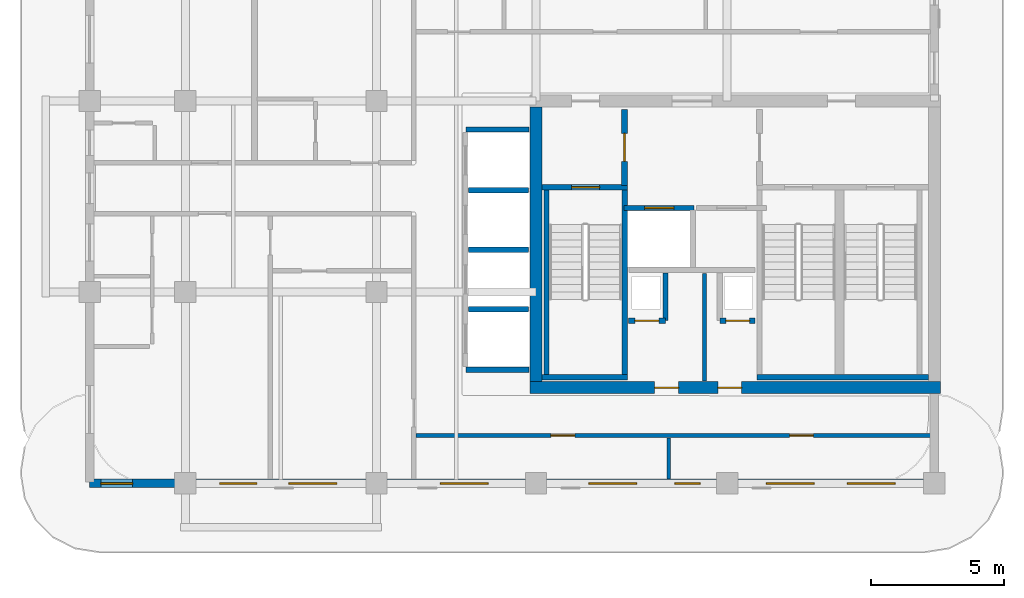
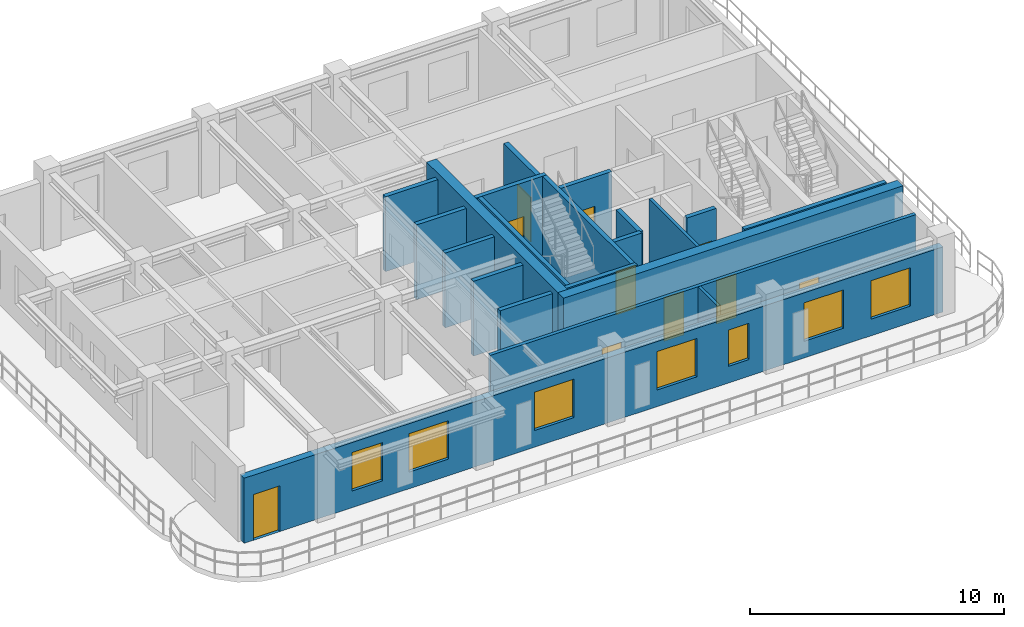
# One storey, part 3 of 7: 21 walls, 10 doors, 7 windows, 17 openings.
"""IFC4 building model written with IfcOpenShell, lengths in metres."""

from ifc_helpers import new_model, si_unit, derived_unit, direction, frame, frame_2d, origin, place, context, subcontext, project, spatial, rectangle, extrude, source, transform, mapped, material, layer, layer_set, type_object, type_shapes, element, fill, save


model = new_model("IFC4")

# Units and contexts
model_context = context("Model", 3, precision=1e-05, world=origin(), true_north=direction((0.0, 1.0)))
body_context = subcontext(model_context, "Body", "Model", "MODEL_VIEW")
ifc_project = project(units=[si_unit("LENGTHUNIT", "METRE"), si_unit("AREAUNIT", "SQUARE_METRE"), si_unit("VOLUMEUNIT", "CUBIC_METRE"), si_unit("PLANEANGLEUNIT", "RADIAN"), si_unit("MASSUNIT", "GRAM", prefix="KILO"), si_unit("THERMODYNAMICTEMPERATUREUNIT", "KELVIN"), si_unit("POWERUNIT", "WATT"), derived_unit("THERMALTRANSMITTANCEUNIT", [(si_unit("POWERUNIT", "WATT"), 1), (si_unit("AREAUNIT", "SQUARE_METRE"), -1), (si_unit("THERMODYNAMICTEMPERATUREUNIT", "KELVIN"), -1)])], contexts=[model_context])

# Site, building, storey
site_placement = place(None, origin())
site = spatial("IfcSite", under=ifc_project, at=site_placement, CompositionType="ELEMENT")
building_placement = place(site_placement, origin())
building = spatial("IfcBuilding", under=site, at=building_placement, Name="Zahravan Archway Hotel and Residences", CompositionType="ELEMENT")
storey_placement = place(building_placement, frame((0.0, 0.0, 255.800048828125)))
storey = spatial("IfcBuildingStorey", under=building, at=storey_placement, Name="L64", CompositionType="ELEMENT", Elevation=255.800048828125)

# Wall, openings, doors
ifc_material_1 = material(Name="Concrete C50/60", Category="concrete")
ifc_layer_1 = layer(ifc_material_1, 0.449951171875, Name="Concrete C50/60", Category="concrete")
ifc_layer_set_1 = layer_set([ifc_layer_1], Name="Concrete C50/60")
wall_type_1 = type_object("IfcWallType", Name="CW-CORE-450", PredefinedType="SHEAR", material=ifc_layer_set_1)
wall_1_placement = place(storey_placement, frame((34.574951171875, 3.60009765625, 0.0), z_axis=(0.0, 0.0, 1.0), x_axis=(1.0, 0.0, 0.0)))
wall_1 = element("IfcWall", 1, at=wall_1_placement, inside=storey, type_object=wall_type_1, Name="L64 Core A Shear S Wall 450 mm", PredefinedType="SHEAR", context=body_context, shape_type="SweptSolid", body=[
    extrude(rectangle(XDim=15.449951171875, YDim=0.449951171875, at=frame_2d((7.72509765625, 0.0))), origin(), (0.0, 0.0, 1.0), 3.849853515625),
])
opening_1_placement = place(wall_1_placement, frame((4.695068359375, 0.0, 0.0)))
opening_1 = element("IfcOpeningElement", 2, at=opening_1_placement, cuts=wall_1, Name="Opening FD-R1", PredefinedType="OPENING", context=body_context, shape_type="SweptSolid", body=[
    extrude(rectangle(XDim=0.89990234375, YDim=2.10009765625, at=frame_2d((0.449951171875, 1.050048828125))), frame((0.0, 0.23486328125, 0.0), z_axis=(0.0, -1.0, 0.0), x_axis=(1.0, 0.0, 0.0)), (0.0, 0.0, 1.0), 0.469970703125),
])
opening_2_placement = place(wall_1_placement, frame((7.074951171875, 0.0, 0.0)))
opening_2 = element("IfcOpeningElement", 3, at=opening_2_placement, cuts=wall_1, Name="Opening FD-R1", PredefinedType="OPENING", context=body_context, shape_type="SweptSolid", body=[
    extrude(rectangle(XDim=0.89990234375, YDim=2.10009765625, at=frame_2d((0.449951171875, 1.050048828125))), frame((0.0, 0.23486328125, 0.0), z_axis=(0.0, -1.0, 0.0), x_axis=(1.0, 0.0, 0.0)), (0.0, 0.0, 1.0), 0.469970703125),
])
ifc_material_2 = material(Name="Fire-Rated Painted Steel", Category="steel")
door_type_1 = type_object("IfcDoorType", Name="FD-RISER-900", OperationType="NOTDEFINED", PredefinedType="DOOR", material=ifc_material_2)
shared_shape_1 = source(origin(), body_context, "Body", "SweptSolid", [
    extrude(rectangle(XDim=0.89990234375, YDim=2.10009765625, at=frame_2d((0.449951171875, 1.050048828125))), frame((0.0, 0.02490234375, 0.0), z_axis=(0.0, -1.0, 0.0), x_axis=(1.0, 0.0, 0.0)), (0.0, 0.0, 1.0), 0.050048828125),
])
type_shapes(door_type_1, [shared_shape_1])
door_1_placement = place(opening_1_placement, origin())
door_1 = element("IfcDoor", 4, at=door_1_placement, inside=storey, type_object=door_type_1, Name="L64 Fan Room Door", OperationType="SINGLE_SWING_RIGHT", OverallHeight=2.10009765625, OverallWidth=0.89990234375, PredefinedType="DOOR", context=body_context, shape_type="MappedRepresentation", body=[
    mapped(shared_shape_1, transform((0.0, 0.0, 0.0), scale=1.0)),
])
fill(opening_1, door_1)
door_2_placement = place(opening_2_placement, origin())
door_2 = element("IfcDoor", 5, at=door_2_placement, inside=storey, type_object=door_type_1, Name="L64 Sub-Meter Cupboard Door", OperationType="SINGLE_SWING_LEFT", OverallHeight=2.10009765625, OverallWidth=0.89990234375, PredefinedType="DOOR", context=body_context, shape_type="MappedRepresentation", body=[
    mapped(shared_shape_1, transform((0.0, 0.0, 0.0), scale=1.0)),
])
fill(opening_2, door_2)

# Wall
wall_2_placement = place(storey_placement, frame((34.800048828125, 3.824951171875, 0.0), z_axis=(0.0, 0.0, 1.0), x_axis=(0.0, 1.0, 0.0)))
element("IfcWall", 6, at=wall_2_placement, inside=storey, type_object=wall_type_1, Name="L64 Core A Shear W Wall 450 mm", PredefinedType="SHEAR", context=body_context, shape_type="SweptSolid", body=[
    extrude(rectangle(XDim=10.35009765625, YDim=0.449951171875, at=frame_2d((5.175048828125, 0.0))), origin(), (0.0, 0.0, 1.0), 3.849853515625),
])

# Wall, openings, door, windows
ifc_material_3 = material(Name="Agra Buff Sandstone & Insulated Backup", Category="masonry")
ifc_layer_2 = layer(ifc_material_3, 0.320068359375, Name="Agra Buff Sandstone & Insulated Backup", Category="masonry")
ifc_layer_set_2 = layer_set([ifc_layer_2], Name="Agra Buff Sandstone & Insulated Backup")
wall_type_2 = type_object("IfcWallType", Name="EW-SAND-320", PredefinedType="SOLIDWALL", material=ifc_layer_set_2)
wall_3_placement = place(storey_placement, frame((18.0, 0.0, 0.0), z_axis=(0.0, 0.0, 1.0), x_axis=(1.0, 0.0, 0.0)))
wall_3 = element("IfcWall", 7, at=wall_3_placement, inside=storey, type_object=wall_type_2, Name="L64 Exterior Sandstone Wall WA-S", PredefinedType="SOLIDWALL", context=body_context, shape_type="SweptSolid", body=[
    extrude(rectangle(XDim=31.800048828125, YDim=0.320068359375, at=frame_2d((15.89990234375, 0.0))), origin(), (0.0, 0.0, 1.0), 3.135009765625),
])
opening_3_placement = place(wall_3_placement, frame((0.419921875, 0.0, 0.0)))
opening_3 = element("IfcOpeningElement", 8, at=opening_3_placement, cuts=wall_3, Name="Opening ED-BL1", PredefinedType="OPENING", context=body_context, shape_type="SweptSolid", body=[
    extrude(rectangle(XDim=1.199951171875, YDim=2.199951171875, at=frame_2d((0.60009765625, 1.10009765625))), frame((0.0, 0.169921875, 0.0), z_axis=(0.0, -1.0, 0.0), x_axis=(1.0, 0.0, 0.0)), (0.0, 0.0, 1.0), 0.340087890625),
])
opening_4_placement = place(wall_3_placement, frame((4.89599609375, 0.0, 0.800048828125)))
opening_4 = element("IfcOpeningElement", 9, at=opening_4_placement, cuts=wall_3, Name="Opening W-03", PredefinedType="OPENING", context=body_context, shape_type="SweptSolid", body=[
    extrude(rectangle(XDim=1.39990234375, YDim=1.85009765625, at=frame_2d((0.699951171875, 0.925048828125))), frame((0.0, 0.169921875, 0.0), z_axis=(0.0, -1.0, 0.0), x_axis=(1.0, 0.0, 0.0)), (0.0, 0.0, 1.0), 0.340087890625),
])
opening_5_placement = place(wall_3_placement, frame((7.50390625, 0.0, 0.800048828125)))
opening_5 = element("IfcOpeningElement", 10, at=opening_5_placement, cuts=wall_3, Name="Opening W-02", PredefinedType="OPENING", context=body_context, shape_type="SweptSolid", body=[
    extrude(rectangle(XDim=1.800048828125, YDim=1.85009765625, at=frame_2d((0.89990234375, 0.925048828125))), frame((0.0, 0.169921875, 0.0), z_axis=(0.0, -1.0, 0.0), x_axis=(1.0, 0.0, 0.0)), (0.0, 0.0, 1.0), 0.340087890625),
])
opening_6_placement = place(wall_3_placement, frame((13.2041015625, 0.0, 0.800048828125)))
opening_6 = element("IfcOpeningElement", 11, at=opening_6_placement, cuts=wall_3, Name="Opening W-02", PredefinedType="OPENING", context=body_context, shape_type="SweptSolid", body=[
    extrude(rectangle(XDim=1.800048828125, YDim=1.85009765625, at=frame_2d((0.89990234375, 0.925048828125))), frame((0.0, 0.169921875, 0.0), z_axis=(0.0, -1.0, 0.0), x_axis=(1.0, 0.0, 0.0)), (0.0, 0.0, 1.0), 0.340087890625),
])
opening_7_placement = place(wall_3_placement, frame((18.7958984375, 0.0, 0.800048828125)))
opening_7 = element("IfcOpeningElement", 12, at=opening_7_placement, cuts=wall_3, Name="Opening W-02", PredefinedType="OPENING", context=body_context, shape_type="SweptSolid", body=[
    extrude(rectangle(XDim=1.800048828125, YDim=1.85009765625, at=frame_2d((0.89990234375, 0.925048828125))), frame((0.0, 0.169921875, 0.0), z_axis=(0.0, -1.0, 0.0), x_axis=(1.0, 0.0, 0.0)), (0.0, 0.0, 1.0), 0.340087890625),
])
opening_8_placement = place(wall_3_placement, frame((22.029052734375, 0.0, 0.800048828125)))
opening_8 = element("IfcOpeningElement", 13, at=opening_8_placement, cuts=wall_3, Name="Opening W-04", PredefinedType="OPENING", context=body_context, shape_type="SweptSolid", body=[
    extrude(rectangle(XDim=0.949951171875, YDim=1.75, at=frame_2d((0.47509765625, 0.875))), frame((0.0, 0.169921875, 0.0), z_axis=(0.0, -1.0, 0.0), x_axis=(1.0, 0.0, 0.0)), (0.0, 0.0, 1.0), 0.340087890625),
])
opening_9_placement = place(wall_3_placement, frame((25.47509765625, 0.0, 0.800048828125)))
opening_9 = element("IfcOpeningElement", 14, at=opening_9_placement, cuts=wall_3, Name="Opening W-02", PredefinedType="OPENING", context=body_context, shape_type="SweptSolid", body=[
    extrude(rectangle(XDim=1.800048828125, YDim=1.85009765625, at=frame_2d((0.89990234375, 0.925048828125))), frame((0.0, 0.169921875, 0.0), z_axis=(0.0, -1.0, 0.0), x_axis=(1.0, 0.0, 0.0)), (0.0, 0.0, 1.0), 0.340087890625),
])
opening_10_placement = place(wall_3_placement, frame((28.52490234375, 0.0, 0.800048828125)))
opening_10 = element("IfcOpeningElement", 15, at=opening_10_placement, cuts=wall_3, Name="Opening W-02", PredefinedType="OPENING", context=body_context, shape_type="SweptSolid", body=[
    extrude(rectangle(XDim=1.800048828125, YDim=1.85009765625, at=frame_2d((0.89990234375, 0.925048828125))), frame((0.0, 0.169921875, 0.0), z_axis=(0.0, -1.0, 0.0), x_axis=(1.0, 0.0, 0.0)), (0.0, 0.0, 1.0), 0.340087890625),
])
ifc_material_4 = material(Name="Bronze-Anodized Glazed Aluminium", Category="aluminium")
door_type_2 = type_object("IfcDoorType", Name="ED-BALC-1200", OperationType="SLIDING_TO_LEFT", PredefinedType="DOOR", material=ifc_material_4)
shared_shape_2 = source(origin(), body_context, "Body", "SweptSolid", [
    extrude(rectangle(XDim=1.199951171875, YDim=2.199951171875, at=frame_2d((0.60009765625, 1.10009765625))), frame((0.0, 0.02490234375, 0.0), z_axis=(0.0, -1.0, 0.0), x_axis=(1.0, 0.0, 0.0)), (0.0, 0.0, 1.0), 0.050048828125),
])
type_shapes(door_type_2, [shared_shape_2])
door_3_placement = place(opening_3_placement, origin())
door_3 = element("IfcDoor", 16, at=door_3_placement, inside=storey, type_object=door_type_2, Name="L64 Outdoor Access Sliding Door (SLB-BAL-L64-SA)", OperationType="SLIDING_TO_LEFT", OverallHeight=2.199951171875, OverallWidth=1.199951171875, PredefinedType="DOOR", context=body_context, shape_type="MappedRepresentation", body=[
    mapped(shared_shape_2, transform((0.0, 0.0, 0.0), scale=1.0)),
])
fill(opening_3, door_3)
ifc_material_5 = material(Name="Bronze-Anodized Thermal-Break Aluminium & Low-E Glass", Category="aluminium")
window_type_1 = type_object("IfcWindowType", Name="WIN-TWR-1400", PartitioningType="SINGLE_PANEL", PredefinedType="WINDOW", material=ifc_material_5)
shared_shape_3 = source(origin(), body_context, "Body", "SweptSolid", [
    extrude(rectangle(XDim=1.39990234375, YDim=1.85009765625, at=frame_2d((0.699951171875, 0.925048828125))), frame((0.0, 0.030029296875, 0.0), z_axis=(0.0, -1.0, 0.0), x_axis=(1.0, 0.0, 0.0)), (0.0, 0.0, 1.0), 0.06005859375),
])
type_shapes(window_type_1, [shared_shape_3])
window_1_placement = place(opening_4_placement, origin())
window_1 = element("IfcWindow", 17, at=window_1_placement, inside=storey, type_object=window_type_1, Name="L64 Loggia Window 01", OverallHeight=1.85009765625, OverallWidth=1.39990234375, PartitioningType="SINGLE_PANEL", PredefinedType="WINDOW", context=body_context, shape_type="MappedRepresentation", body=[
    mapped(shared_shape_3, transform((0.0, 0.0, 0.0), scale=1.0)),
])
fill(opening_4, window_1)
window_type_2 = type_object("IfcWindowType", Name="WIN-NAR-950", PartitioningType="SINGLE_PANEL", PredefinedType="WINDOW", material=ifc_material_5)
shared_shape_4 = source(origin(), body_context, "Body", "SweptSolid", [
    extrude(rectangle(XDim=0.949951171875, YDim=1.75, at=frame_2d((0.47509765625, 0.875))), frame((0.0, 0.030029296875, 0.0), z_axis=(0.0, -1.0, 0.0), x_axis=(1.0, 0.0, 0.0)), (0.0, 0.0, 1.0), 0.06005859375),
])
type_shapes(window_type_2, [shared_shape_4])
window_2_placement = place(opening_8_placement, origin())
window_2 = element("IfcWindow", 18, at=window_2_placement, inside=storey, type_object=window_type_2, Name="L64 Loggia Window 05", OverallHeight=1.75, OverallWidth=0.949951171875, PartitioningType="SINGLE_PANEL", PredefinedType="WINDOW", context=body_context, shape_type="MappedRepresentation", body=[
    mapped(shared_shape_4, transform((0.0, 0.0, 0.0), scale=1.0)),
])
fill(opening_8, window_2)
window_type_3 = type_object("IfcWindowType", Name="WIN-TWR-1800", PartitioningType="DOUBLE_PANEL_VERTICAL", PredefinedType="WINDOW", material=ifc_material_5)
shared_shape_5 = source(origin(), body_context, "Body", "SweptSolid", [
    extrude(rectangle(XDim=1.800048828125, YDim=1.85009765625, at=frame_2d((0.89990234375, 0.925048828125))), frame((0.0, 0.030029296875, 0.0), z_axis=(0.0, -1.0, 0.0), x_axis=(1.0, 0.0, 0.0)), (0.0, 0.0, 1.0), 0.06005859375),
])
type_shapes(window_type_3, [shared_shape_5])
window_3_placement = place(opening_5_placement, origin())
window_3 = element("IfcWindow", 19, at=window_3_placement, inside=storey, type_object=window_type_3, Name="L64 Loggia Window 02", OverallHeight=1.85009765625, OverallWidth=1.800048828125, PartitioningType="DOUBLE_PANEL_VERTICAL", PredefinedType="WINDOW", context=body_context, shape_type="MappedRepresentation", body=[
    mapped(shared_shape_5, transform((0.0, 0.0, 0.0), scale=1.0)),
])
fill(opening_5, window_3)
window_4_placement = place(opening_6_placement, origin())
window_4 = element("IfcWindow", 20, at=window_4_placement, inside=storey, type_object=window_type_3, Name="L64 Loggia Window 03", OverallHeight=1.85009765625, OverallWidth=1.800048828125, PartitioningType="DOUBLE_PANEL_VERTICAL", PredefinedType="WINDOW", context=body_context, shape_type="MappedRepresentation", body=[
    mapped(shared_shape_5, transform((0.0, 0.0, 0.0), scale=1.0)),
])
fill(opening_6, window_4)
window_5_placement = place(opening_7_placement, origin())
window_5 = element("IfcWindow", 21, at=window_5_placement, inside=storey, type_object=window_type_3, Name="L64 Loggia Window 04", OverallHeight=1.85009765625, OverallWidth=1.800048828125, PartitioningType="DOUBLE_PANEL_VERTICAL", PredefinedType="WINDOW", context=body_context, shape_type="MappedRepresentation", body=[
    mapped(shared_shape_5, transform((0.0, 0.0, 0.0), scale=1.0)),
])
fill(opening_7, window_5)
window_6_placement = place(opening_9_placement, origin())
window_6 = element("IfcWindow", 22, at=window_6_placement, inside=storey, type_object=window_type_3, Name="L64 Loggia Window 06", OverallHeight=1.85009765625, OverallWidth=1.800048828125, PartitioningType="DOUBLE_PANEL_VERTICAL", PredefinedType="WINDOW", context=body_context, shape_type="MappedRepresentation", body=[
    mapped(shared_shape_5, transform((0.0, 0.0, 0.0), scale=1.0)),
])
fill(opening_9, window_6)
window_7_placement = place(opening_10_placement, origin())
window_7 = element("IfcWindow", 23, at=window_7_placement, inside=storey, type_object=window_type_3, Name="L64 Loggia Window 07", OverallHeight=1.85009765625, OverallWidth=1.800048828125, PartitioningType="DOUBLE_PANEL_VERTICAL", PredefinedType="WINDOW", context=body_context, shape_type="MappedRepresentation", body=[
    mapped(shared_shape_5, transform((0.0, 0.0, 0.0), scale=1.0)),
])
fill(opening_10, window_7)

# Wall, opening, door
ifc_material_6 = material(Name="Fire-Rated Gypsum & Concrete Block", Category="concrete")
ifc_layer_3 = layer(ifc_material_6, 0.219970703125, Name="Fire-Rated Gypsum & Concrete Block", Category="concrete")
ifc_layer_set_3 = layer_set([ifc_layer_3], Name="Fire-Rated Gypsum & Concrete Block")
wall_type_3 = type_object("IfcWallType", Name="PW-COMP-220", PredefinedType="PARTITIONING", material=ifc_layer_set_3)
wall_4_placement = place(storey_placement, frame((38.139892578125, 11.219970703125, 0.0), z_axis=(0.0, 0.0, 1.0), x_axis=(0.0, 1.0, 0.0)))
wall_4 = element("IfcWall", 24, at=wall_4_placement, inside=storey, type_object=wall_type_3, Name="L64 Partition CA-LOBW", PredefinedType="PARTITIONING", context=body_context, shape_type="SweptSolid", body=[
    extrude(rectangle(XDim=2.860107421875, YDim=0.219970703125, at=frame_2d((1.43017578125, 0.0))), origin(), (0.0, 0.0, 1.0), 3.599853515625),
])
opening_11_placement = place(wall_4_placement, frame((0.905029296875, 0.0, 0.0)))
opening_11 = element("IfcOpeningElement", 25, at=opening_11_placement, cuts=wall_4, Name="Opening FD-L2", PredefinedType="OPENING", context=body_context, shape_type="SweptSolid", body=[
    extrude(rectangle(XDim=1.050048828125, YDim=2.14990234375, at=frame_2d((0.52490234375, 1.074951171875))), frame((0.0, 0.1201171875, 0.0), z_axis=(0.0, -1.0, 0.0), x_axis=(1.0, 0.0, 0.0)), (0.0, 0.0, 1.0), 0.239990234375),
])
door_type_3 = type_object("IfcDoorType", Name="FD-LOBBY-1100", OperationType="NOTDEFINED", PredefinedType="DOOR", material=ifc_material_2)
shared_shape_6 = source(origin(), body_context, "Body", "SweptSolid", [
    extrude(rectangle(XDim=1.050048828125, YDim=2.14990234375, at=frame_2d((0.52490234375, 1.074951171875))), frame((0.0, 0.02490234375, 0.0), z_axis=(0.0, -1.0, 0.0), x_axis=(1.0, 0.0, 0.0)), (0.0, 0.0, 1.0), 0.050048828125),
])
type_shapes(door_type_3, [shared_shape_6])
door_4_placement = place(opening_11_placement, origin())
door_4 = element("IfcDoor", 26, at=door_4_placement, inside=storey, type_object=door_type_3, Name="L64 Core A West Stair to FSAE Lobby Door", OperationType="SINGLE_SWING_RIGHT", OverallHeight=2.14990234375, OverallWidth=1.050048828125, PredefinedType="DOOR", context=body_context, shape_type="MappedRepresentation", body=[
    mapped(shared_shape_6, transform((0.0, 0.0, 0.0), scale=1.0)),
])
fill(opening_11, door_4)

# Wall, openings, doors
ifc_layer_4 = layer(ifc_material_6, 0.159912109375, Name="Fire-Rated Gypsum & Concrete Block", Category="concrete")
ifc_layer_set_4 = layer_set([ifc_layer_4], Name="Fire-Rated Gypsum & Concrete Block")
wall_type_4 = type_object("IfcWallType", Name="PW-CORR-160", PredefinedType="PARTITIONING", material=ifc_layer_set_4)
wall_5_placement = place(storey_placement, frame((30.2900390625, 1.800048828125, 0.0), z_axis=(0.0, 0.0, 1.0), x_axis=(1.0, 0.0, 0.0)))
wall_5 = element("IfcWall", 27, at=wall_5_placement, inside=storey, type_object=wall_type_4, Name="L64 Partition WA-SRS", PredefinedType="PARTITIONING", context=body_context, shape_type="SweptSolid", body=[
    extrude(rectangle(XDim=19.369873046875, YDim=0.159912109375, at=frame_2d((9.68505859375, 0.0))), origin(), (0.0, 0.0, 1.0), 3.599853515625),
])
opening_12_placement = place(wall_5_placement, frame((5.07421875, 0.0, 0.0)))
opening_12 = element("IfcOpeningElement", 28, at=opening_12_placement, cuts=wall_5, Name="Opening D-I2", PredefinedType="OPENING", context=body_context, shape_type="SweptSolid", body=[
    extrude(rectangle(XDim=0.89990234375, YDim=2.14990234375, at=frame_2d((0.449951171875, 1.074951171875))), frame((0.0, 0.08984375, 0.0), z_axis=(0.0, -1.0, 0.0), x_axis=(1.0, 0.0, 0.0)), (0.0, 0.0, 1.0), 0.179931640625),
])
opening_13_placement = place(wall_5_placement, frame((14.06005859375, 0.0, 0.0)))
opening_13 = element("IfcOpeningElement", 29, at=opening_13_placement, cuts=wall_5, Name="Opening D-I2", PredefinedType="OPENING", context=body_context, shape_type="SweptSolid", body=[
    extrude(rectangle(XDim=0.89990234375, YDim=2.14990234375, at=frame_2d((0.449951171875, 1.074951171875))), frame((0.0, 0.08984375, 0.0), z_axis=(0.0, -1.0, 0.0), x_axis=(1.0, 0.0, 0.0)), (0.0, 0.0, 1.0), 0.179931640625),
])
ifc_material_7 = material(Name="Hardwood Veneer Timber", Category="wood")
door_type_4 = type_object("IfcDoorType", Name="ID-INT-900", OperationType="NOTDEFINED", PredefinedType="DOOR", material=ifc_material_7)
shared_shape_7 = source(origin(), body_context, "Body", "SweptSolid", [
    extrude(rectangle(XDim=0.89990234375, YDim=2.14990234375, at=frame_2d((0.449951171875, 1.074951171875))), frame((0.0, 0.02490234375, 0.0), z_axis=(0.0, -1.0, 0.0), x_axis=(1.0, 0.0, 0.0)), (0.0, 0.0, 1.0), 0.050048828125),
])
type_shapes(door_type_4, [shared_shape_7])
door_5_placement = place(opening_12_placement, origin())
door_5 = element("IfcDoor", 30, at=door_5_placement, inside=storey, type_object=door_type_4, Name="L64 South Study Door", OperationType="SINGLE_SWING_LEFT", OverallHeight=2.14990234375, OverallWidth=0.89990234375, PredefinedType="DOOR", context=body_context, shape_type="MappedRepresentation", body=[
    mapped(shared_shape_7, transform((0.0, 0.0, 0.0), scale=1.0)),
])
fill(opening_12, door_5)
door_6_placement = place(opening_13_placement, origin())
door_6 = element("IfcDoor", 31, at=door_6_placement, inside=storey, type_object=door_type_4, Name="L64 South Pantry Door", OperationType="SINGLE_SWING_RIGHT", OverallHeight=2.14990234375, OverallWidth=0.89990234375, PredefinedType="DOOR", context=body_context, shape_type="MappedRepresentation", body=[
    mapped(shared_shape_7, transform((0.0, 0.0, 0.0), scale=1.0)),
])
fill(opening_13, door_6)

# Wall
ifc_material_8 = material(Name="Acoustic Stud Partition")
ifc_layer_5 = layer(ifc_material_8, 0.125, Name="Acoustic Stud Partition")
ifc_layer_set_5 = layer_set([ifc_layer_5], Name="Acoustic Stud Partition")
wall_type_5 = type_object("IfcWallType", Name="PW-INT-125", PredefinedType="PARTITIONING", material=ifc_layer_set_5)
wall_6_placement = place(storey_placement, frame((39.800048828125, 0.16796875, 0.0), z_axis=(0.0, 0.0, 1.0), x_axis=(0.0, 1.0, 0.0)))
element("IfcWall", 32, at=wall_6_placement, inside=storey, type_object=wall_type_5, Name="L64 Partition S-DIV1", PredefinedType="PARTITIONING", context=body_context, shape_type="SweptSolid", body=[
    extrude(rectangle(XDim=1.5419921875, YDim=0.125, at=frame_2d((0.77099609375, 0.0))), origin(), (0.0, 0.0, 1.0), 3.599853515625),
])

# Wall, opening, door
ifc_layer_6 = layer(ifc_material_6, 0.199951171875, Name="Fire-Rated Gypsum & Concrete Block", Category="concrete")
ifc_layer_set_6 = layer_set([ifc_layer_6], Name="Fire-Rated Gypsum & Concrete Block")
wall_type_6 = type_object("IfcWallType", Name="PW-SHAFT-200", PredefinedType="PARTITIONING", material=ifc_layer_set_6)
wall_7_placement = place(storey_placement, frame((38.2900390625, 6.1201171875, 0.0), z_axis=(0.0, 0.0, 1.0), x_axis=(1.0, 0.0, 0.0)))
wall_7 = element("IfcWall", 33, at=wall_7_placement, inside=storey, type_object=wall_type_6, Name="L64 Partition CA-SMKS", PredefinedType="PARTITIONING", context=body_context, shape_type="SweptSolid", body=[
    extrude(rectangle(XDim=1.3798828125, YDim=0.199951171875, at=frame_2d((0.68994140625, 0.0))), origin(), (0.0, 0.0, 1.0), 3.599853515625),
])
opening_14_placement = place(wall_7_placement, frame((0.239990234375, 0.0, 0.0)))
opening_14 = element("IfcOpeningElement", 34, at=opening_14_placement, cuts=wall_7, Name="Opening FD-R1", PredefinedType="OPENING", context=body_context, shape_type="SweptSolid", body=[
    extrude(rectangle(XDim=0.89990234375, YDim=2.10009765625, at=frame_2d((0.449951171875, 1.050048828125))), frame((0.0, 0.10986328125, 0.0), z_axis=(0.0, -1.0, 0.0), x_axis=(1.0, 0.0, 0.0)), (0.0, 0.0, 1.0), 0.219970703125),
])
door_7_placement = place(opening_14_placement, origin())
door_7 = element("IfcDoor", 35, at=door_7_placement, inside=storey, type_object=door_type_1, Name="L64 Smoke Riser Access Door", OperationType="SINGLE_SWING_RIGHT", OverallHeight=2.10009765625, OverallWidth=0.89990234375, PredefinedType="DOOR", context=body_context, shape_type="MappedRepresentation", body=[
    mapped(shared_shape_1, transform((0.0, 0.0, 0.0), scale=1.0)),
])
fill(opening_14, door_7)

# Wall
wall_8_placement = place(storey_placement, frame((39.679931640625, 6.1298828125, 0.0), z_axis=(0.0, 0.0, 1.0), x_axis=(0.0, 1.0, 0.0)))
element("IfcWall", 36, at=wall_8_placement, inside=storey, type_object=wall_type_6, Name="L64 Partition CA-SMKE", PredefinedType="PARTITIONING", context=body_context, shape_type="SweptSolid", body=[
    extrude(rectangle(XDim=1.7900390625, YDim=0.199951171875, at=frame_2d((0.89501953125, 0.0))), origin(), (0.0, 0.0, 1.0), 3.599853515625),
])

# Wall, opening, door
wall_9_placement = place(storey_placement, frame((41.72998046875, 6.1201171875, 0.0), z_axis=(0.0, 0.0, 1.0), x_axis=(1.0, 0.0, 0.0)))
wall_9 = element("IfcWall", 37, at=wall_9_placement, inside=storey, type_object=wall_type_6, Name="L64 Partition CA-MEPS", PredefinedType="PARTITIONING", context=body_context, shape_type="SweptSolid", body=[
    extrude(rectangle(XDim=1.320068359375, YDim=0.199951171875, at=frame_2d((0.66015625, 0.0))), origin(), (0.0, 0.0, 1.0), 3.599853515625),
])
opening_15_placement = place(wall_9_placement, frame((0.219970703125, 0.0, 0.0)))
opening_15 = element("IfcOpeningElement", 38, at=opening_15_placement, cuts=wall_9, Name="Opening FD-R1", PredefinedType="OPENING", context=body_context, shape_type="SweptSolid", body=[
    extrude(rectangle(XDim=0.89990234375, YDim=2.10009765625, at=frame_2d((0.449951171875, 1.050048828125))), frame((0.0, 0.10986328125, 0.0), z_axis=(0.0, -1.0, 0.0), x_axis=(1.0, 0.0, 0.0)), (0.0, 0.0, 1.0), 0.219970703125),
])
door_8_placement = place(opening_15_placement, origin())
door_8 = element("IfcDoor", 39, at=door_8_placement, inside=storey, type_object=door_type_1, Name="L64 MEP Riser Access Door", OperationType="SINGLE_SWING_LEFT", OverallHeight=2.10009765625, OverallWidth=0.89990234375, PredefinedType="DOOR", context=body_context, shape_type="MappedRepresentation", body=[
    mapped(shared_shape_1, transform((0.0, 0.0, 0.0), scale=1.0)),
])
fill(opening_15, door_8)

# Walls
for number, where, z_axis, x_axis, name in (
    (40, (32.159912109375, 4.280029296875, 0.0), (0.0, 0.0, 1.0), (1.0, 0.0, 0.0), "L64 Partition B3-S"),
    (41, (32.159912109375, 13.320068359375, 0.0), (0.0, 0.0, 1.0), (1.0, 0.0, 0.0), "L64 Partition B3-N"),
):
    element("IfcWall", number, at=place(storey_placement, frame(where, z_axis=z_axis, x_axis=x_axis)), inside=storey, type_object=wall_type_6, Name=name, PredefinedType="PARTITIONING", context=body_context, shape_type="SweptSolid", body=[
        extrude(rectangle(XDim=2.385009765625, YDim=0.199951171875, at=frame_2d((1.1923828125, 0.0))), origin(), (0.0, 0.0, 1.0), 3.599853515625),
    ])
for number, where, z_axis, x_axis, name in (
    (42, (32.260009765625, 6.56005859375, 0.0), (0.0, 0.0, 1.0), (1.0, 0.0, 0.0), "L64 Partition B3-D"),
    (43, (32.260009765625, 8.800048828125, 0.0), (0.0, 0.0, 1.0), (1.0, 0.0, 0.0), "L64 Partition B3-D"),
    (44, (32.260009765625, 11.0400390625, 0.0), (0.0, 0.0, 1.0), (1.0, 0.0, 0.0), "L64 Partition B3-D"),
):
    element("IfcWall", number, at=place(storey_placement, frame(where, z_axis=z_axis, x_axis=x_axis)), inside=storey, type_object=wall_type_6, Name=name, PredefinedType="PARTITIONING", context=body_context, shape_type="SweptSolid", body=[
        extrude(rectangle(XDim=2.2548828125, YDim=0.199951171875, at=frame_2d((1.12744140625, 0.0))), origin(), (0.0, 0.0, 1.0), 3.599853515625),
    ])

# Wall, opening, door
wall_10_placement = place(storey_placement, frame((38.1201171875, 10.3701171875, 0.0), z_axis=(0.0, 0.0, 1.0), x_axis=(1.0, 0.0, 0.0)))
wall_10 = element("IfcWall", 45, at=wall_10_placement, inside=storey, type_object=wall_type_6, Name="L64 Lift FL-1 Front Wall", PredefinedType="PARTITIONING", context=body_context, shape_type="SweptSolid", body=[
    extrude(rectangle(XDim=2.639892578125, YDim=0.199951171875, at=frame_2d((1.31982421875, 0.0))), origin(), (0.0, 0.0, 1.0), 3.599853515625),
])
opening_16_placement = place(wall_10_placement, frame((0.77001953125, 0.0, 0.0)))
opening_16 = element("IfcOpeningElement", 46, at=opening_16_placement, cuts=wall_10, Name="Opening LD", PredefinedType="OPENING", context=body_context, shape_type="SweptSolid", body=[
    extrude(rectangle(XDim=1.10009765625, YDim=2.199951171875, at=frame_2d((0.550048828125, 1.10009765625))), frame((0.0, 0.10986328125, 0.0), z_axis=(0.0, -1.0, 0.0), x_axis=(1.0, 0.0, 0.0)), (0.0, 0.0, 1.0), 0.219970703125),
])
ifc_material_9 = material(Name="Brushed Stainless Steel", Category="steel")
door_type_5 = type_object("IfcDoorType", Name="DR-LIFT-LD", OperationType="SLIDING_TO_LEFT", PredefinedType="DOOR", material=ifc_material_9)
shared_shape_8 = source(origin(), body_context, "Body", "SweptSolid", [
    extrude(rectangle(XDim=1.10009765625, YDim=2.199951171875, at=frame_2d((0.550048828125, 1.10009765625))), frame((0.0, 0.02490234375, 0.0), z_axis=(0.0, -1.0, 0.0), x_axis=(1.0, 0.0, 0.0)), (0.0, 0.0, 1.0), 0.050048828125),
])
type_shapes(door_type_5, [shared_shape_8])
door_9_placement = place(opening_16_placement, origin())
door_9 = element("IfcDoor", 47, at=door_9_placement, inside=storey, type_object=door_type_5, Name="L64 Lift FL-1 Sliding Landing Door", OperationType="SLIDING_TO_LEFT", OverallHeight=2.199951171875, OverallWidth=1.10009765625, PredefinedType="DOOR", context=body_context, shape_type="MappedRepresentation", body=[
    mapped(shared_shape_8, transform((0.0, 0.0, 0.0), scale=1.0)),
])
fill(opening_16, door_9)

# Walls
ifc_material_10 = material(Name="Moisture-Resistant Blockwork", Category="masonry")
ifc_layer_7 = layer(ifc_material_10, 0.139892578125, Name="Moisture-Resistant Blockwork", Category="masonry")
ifc_layer_set_7 = layer_set([ifc_layer_7], Name="Moisture-Resistant Blockwork")
wall_type_7 = type_object("IfcWallType", Name="PW-WET-140", PredefinedType="PARTITIONING", material=ifc_layer_set_7)
wall_11_placement = place(storey_placement, frame((41.14990234375, 3.844970703125, 0.0), z_axis=(0.0, 0.0, 1.0), x_axis=(0.0, 1.0, 0.0)))
element("IfcWall", 48, at=wall_11_placement, inside=storey, type_object=wall_type_7, Name="L64 Partition CA-CV2V", PredefinedType="PARTITIONING", context=body_context, shape_type="SweptSolid", body=[
    extrude(rectangle(XDim=4.06494140625, YDim=0.139892578125, at=frame_2d((2.032470703125, 0.0))), origin(), (0.0, 0.0, 1.0), 3.599853515625),
])
ifc_layer_8 = layer(ifc_material_1, 0.199951171875, Name="Concrete C50/60", Category="concrete")
ifc_layer_set_8 = layer_set([ifc_layer_8], Name="Concrete C50/60")
wall_type_8 = type_object("IfcWallType", Name="SW-STAIR-200", PredefinedType="SHEAR", material=ifc_layer_set_8)
wall_12_placement = place(storey_placement, frame((35.02490234375, 4.0, 0.0), z_axis=(0.0, 0.0, 1.0), x_axis=(1.0, 0.0, 0.0)))
element("IfcWall", 49, at=wall_12_placement, inside=storey, type_object=wall_type_8, Name="L64 Stairwell RC Wall CA-SA1S", PredefinedType="SHEAR", context=body_context, shape_type="SweptSolid", body=[
    extrude(rectangle(XDim=3.215087890625, YDim=0.199951171875, at=frame_2d((1.607421875, 0.0))), origin(), (0.0, 0.0, 1.0), 3.849853515625),
])
for number, where, z_axis, x_axis, name in (
    (50, (35.199951171875, 4.10009765625, 0.0), (0.0, 0.0, 1.0), (0.0, 1.0, 0.0), "L64 Stairwell RC Wall CA-SA1W"),
    (51, (38.139892578125, 4.10009765625, 0.0), (0.0, 0.0, 1.0), (0.0, 1.0, 0.0), "L64 Stairwell RC Wall CA-SA1E"),
):
    element("IfcWall", number, at=place(storey_placement, frame(where, z_axis=z_axis, x_axis=x_axis)), inside=storey, type_object=wall_type_8, Name=name, PredefinedType="SHEAR", context=body_context, shape_type="SweptSolid", body=[
        extrude(rectangle(XDim=6.949951171875, YDim=0.199951171875, at=frame_2d((3.47509765625, 0.0))), origin(), (0.0, 0.0, 1.0), 3.849853515625),
    ])

# Wall, opening, door
wall_13_placement = place(storey_placement, frame((35.02490234375, 11.14990234375, 0.0), z_axis=(0.0, 0.0, 1.0), x_axis=(1.0, 0.0, 0.0)))
wall_13 = element("IfcWall", 52, at=wall_13_placement, inside=storey, type_object=wall_type_8, Name="L64 Stairwell RC Wall CA-SA1N", PredefinedType="SHEAR", context=body_context, shape_type="SweptSolid", body=[
    extrude(rectangle(XDim=3.215087890625, YDim=0.199951171875, at=frame_2d((1.607421875, 0.0))), origin(), (0.0, 0.0, 1.0), 3.849853515625),
])
opening_17_placement = place(wall_13_placement, frame((1.1201171875, 0.0, 0.0)))
opening_17 = element("IfcOpeningElement", 53, at=opening_17_placement, cuts=wall_13, Name="Opening FD-S1", PredefinedType="OPENING", context=body_context, shape_type="SweptSolid", body=[
    extrude(rectangle(XDim=1.050048828125, YDim=2.199951171875, at=frame_2d((0.52490234375, 1.10009765625))), frame((0.0, 0.10986328125, 0.0), z_axis=(0.0, -1.0, 0.0), x_axis=(1.0, 0.0, 0.0)), (0.0, 0.0, 1.0), 0.219970703125),
])
door_type_6 = type_object("IfcDoorType", Name="FD-STAIR-1100", OperationType="NOTDEFINED", PredefinedType="DOOR", material=ifc_material_2)
shared_shape_9 = source(origin(), body_context, "Body", "SweptSolid", [
    extrude(rectangle(XDim=1.050048828125, YDim=2.199951171875, at=frame_2d((0.52490234375, 1.10009765625))), frame((0.0, 0.02490234375, 0.0), z_axis=(0.0, -1.0, 0.0), x_axis=(1.0, 0.0, 0.0)), (0.0, 0.0, 1.0), 0.050048828125),
])
type_shapes(door_type_6, [shared_shape_9])
door_10_placement = place(opening_17_placement, origin())
door_10 = element("IfcDoor", 54, at=door_10_placement, inside=storey, type_object=door_type_6, Name="L64 Stair ST-A1 Door", OperationType="SINGLE_SWING_LEFT", OverallHeight=2.199951171875, OverallWidth=1.050048828125, PredefinedType="DOOR", context=body_context, shape_type="MappedRepresentation", body=[
    mapped(shared_shape_9, transform((0.0, 0.0, 0.0), scale=1.0)),
])
fill(opening_17, door_10)

# Wall
wall_14_placement = place(storey_placement, frame((43.1201171875, 4.0, 0.0), z_axis=(0.0, 0.0, 1.0), x_axis=(1.0, 0.0, 0.0)))
element("IfcWall", 55, at=wall_14_placement, inside=storey, type_object=wall_type_8, Name="L64 Stairwell RC Wall CA-SA23S", PredefinedType="SHEAR", context=body_context, shape_type="SweptSolid", body=[
    extrude(rectangle(XDim=6.454833984375, YDim=0.199951171875, at=frame_2d((3.2275390625, 0.0))), origin(), (0.0, 0.0, 1.0), 3.849853515625),
])

save(model, "model.ifc")
